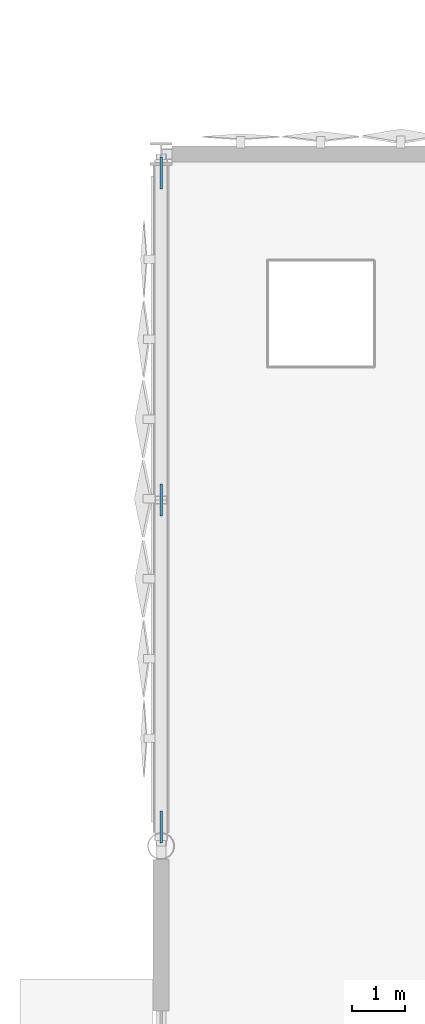
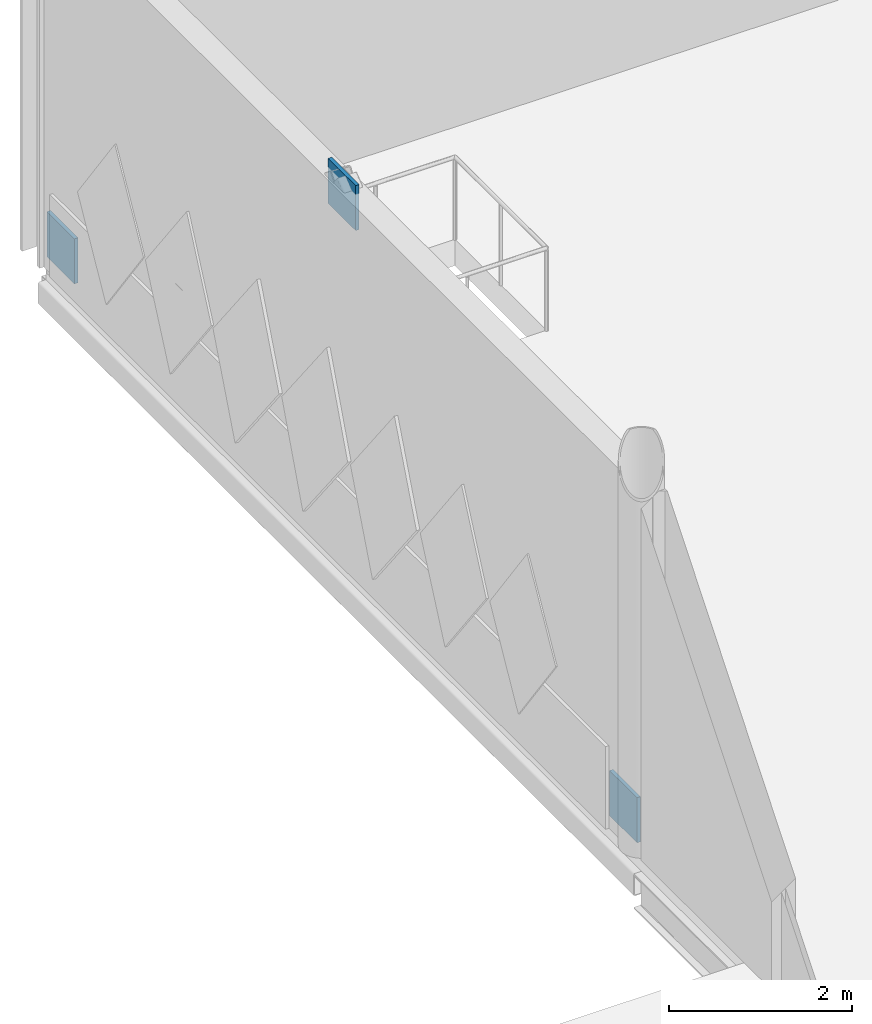
# One storey, part 50 of 94: 3 plates.
"""IFC4 building model written with IfcOpenShell, lengths in metres."""

from ifc_helpers import new_model, si_unit, direction, frame, origin, origin_2d, place, context, subcontext, project, spatial, rectangle, extrude, material, layer, layer_set, type_object, element, save


model = new_model("IFC4")

# Units and contexts
model_context = context("Model", 3, precision=1e-05, world=origin(), true_north=direction((0.0, 1.0)))
body_context = subcontext(model_context, "Body", "Model", "MODEL_VIEW")
ifc_project = project(units=[si_unit("LENGTHUNIT", "METRE"), si_unit("AREAUNIT", "SQUARE_METRE"), si_unit("VOLUMEUNIT", "CUBIC_METRE"), si_unit("PLANEANGLEUNIT", "RADIAN"), si_unit("MASSUNIT", "GRAM", prefix="KILO")], contexts=[model_context])

# Site, building, storey
site_placement = place(None, origin())
site = spatial("IfcSite", under=ifc_project, at=site_placement, CompositionType="ELEMENT")
building_placement = place(site_placement, origin())
building = spatial("IfcBuilding", under=site, at=building_placement, Name="Qamarlyn Nura Convention Centre", CompositionType="ELEMENT")
storey_placement = place(building_placement, origin())
storey = spatial("IfcBuildingStorey", under=building, at=storey_placement, Name="L00", CompositionType="ELEMENT", Elevation=0.0)

# Plates
ifc_material = material(Name="Structural steel ASTM A572 Grade 50", Category="steel")
ifc_layer = layer(ifc_material, 0.044921875, Name="GP-TN1")
ifc_layer_set = layer_set([ifc_layer], Name="Structural steel ASTM A572 Grade 50")
plate_type = type_object("IfcPlateType", Name="GP-TN1", PredefinedType="USERDEFINED", material=ifc_layer_set)
for number, where, z_axis, x_axis, name in (
    (1, (0.0, 90.360107421875, 0.0), (0.0, 0.0, 1.0), (0.0, 1.0, 0.0), "SCBF chevron brace gusset plate CBF-W2-L00-A"),
    (2, (0.0, 102.639892578125, 0.0), (0.0, 0.0, 1.0), (0.0, 1.0, 0.0), "SCBF chevron brace gusset plate CBF-W2-L00-B"),
    (3, (0.0, 96.5, 4.433837890625), (0.0, 0.0, 1.0), (0.0, 1.0, 0.0), "SCBF chevron brace gusset plate CBF-W2-L00-M"),
):
    element("IfcPlate", number, at=place(storey_placement, frame(where, z_axis=z_axis, x_axis=x_axis)), inside=storey, type_object=plate_type, Name=name, ObjectType="GUSSET PLATE", PredefinedType="USERDEFINED", context=body_context, shape_type="SweptSolid", body=[
        extrude(rectangle(XDim=0.60009765625, YDim=0.044921875, at=origin_2d()), origin(), (0.0, 0.0, 1.0), 0.60009765625),
    ])

save(model, "model.ifc")
